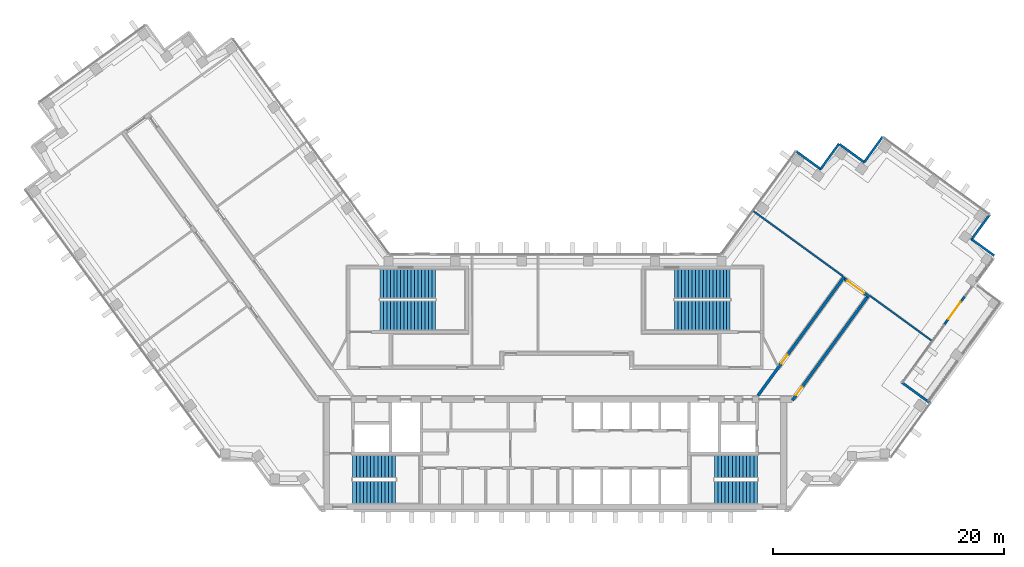
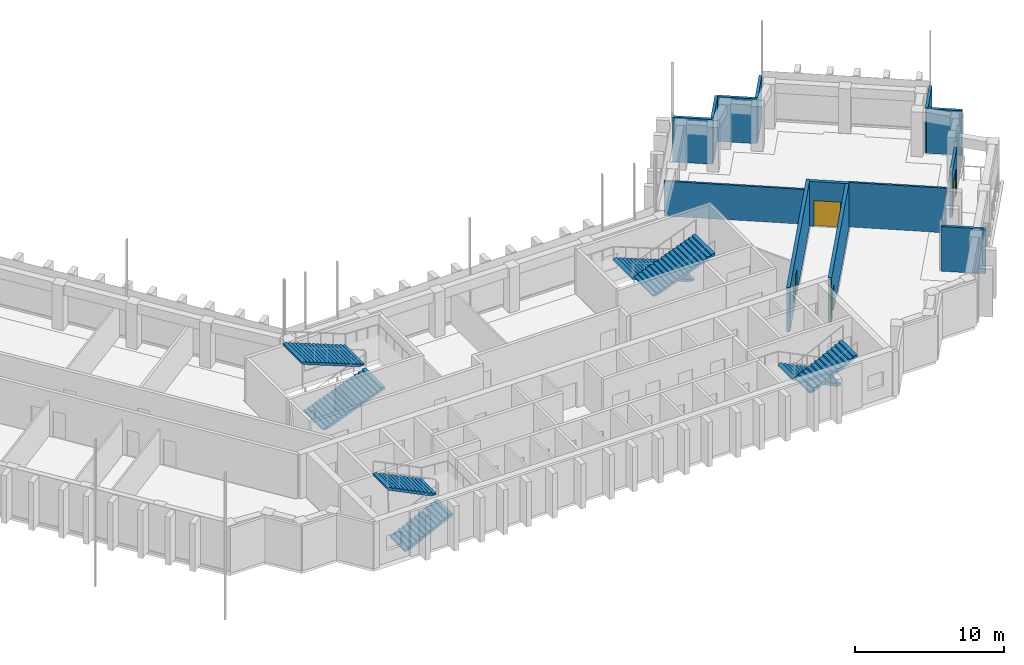
# One storey, part 12 of 14: 13 walls, 8 stair flights, 4 doors, 4 openings, 4 elements without a shape of their own.
"""IFC4 building model written with IfcOpenShell, lengths in metres."""

import ifcopenshell
import ifcopenshell.guid

model = None  # the IFC model being written
_history = None  # IfcOwnerHistory: only IFC2X3 demands one
_inside = {}  # id of a spatial element -> (the spatial element, [elements in it])
_under = {}  # id of a project, library or spatial element -> (it, [spatial elements below it])
_declared = {}  # id of a project -> (the project, [libraries it declares])
_typed = {}  # id of a type object -> (the type object, [elements of that type])
_made_of = {}  # id of a material, layer set ... -> (it, [elements and type objects made of it])


def new_model(schema):
    """Start an empty IFC model of exactly this schema.

    Asked for "IFC4X3", IfcOpenShell would pick the latest addendum, in which some entities
    have other attributes; the version numbers below select the first issue.
    IFC2X3 requires an IfcOwnerHistory on every rooted entity: one is made here for all.
    """
    global model, _history
    if schema == "IFC4X3":
        model = ifcopenshell.file(schema_version=(4, 3, 0, 0))
    else:
        model = ifcopenshell.file(schema=schema)
    _inside.clear()
    _under.clear()
    _declared.clear()
    _typed.clear()
    _made_of.clear()
    _history = None
    if model.schema == "IFC2X3":
        org = make("IfcOrganization", Name="unknown")
        user = make(
            "IfcPersonAndOrganization",
            ThePerson=make("IfcPerson", FamilyName="unknown"),
            TheOrganization=org,
        )
        app = make(
            "IfcApplication",
            ApplicationDeveloper=org,
            Version="unknown",
            ApplicationFullName="unknown",
            ApplicationIdentifier="unknown",
        )
        _history = make(
            "IfcOwnerHistory",
            OwningUser=user,
            OwningApplication=app,
            ChangeAction="ADDED",
            CreationDate=0,
        )
    return model


def make(cls, **values):
    """One entity of the class cls with the attributes given. An attribute that is None is left unset."""
    return model.create_entity(
        cls, **{name: value for name, value in values.items() if value is not None}
    )


def rooted(cls, **values):
    """An entity with a GlobalId (a new one), such as an element, a storey or a relation."""
    return make(cls, GlobalId=ifcopenshell.guid.new(), OwnerHistory=_history, **values)


def si_unit(unit_type, name, prefix=None):
    """IfcSIUnit, for example si_unit("LENGTHUNIT", "METRE", prefix="MILLI")."""
    return make("IfcSIUnit", UnitType=unit_type, Prefix=prefix, Name=name)


def assignment(units):
    """IfcUnitAssignment: the units of a project."""
    return None if units is None else make("IfcUnitAssignment", Units=units)


def point(xyz):
    """IfcCartesianPoint."""
    return None if xyz is None else make("IfcCartesianPoint", Coordinates=xyz)


def direction(xyz):
    """IfcDirection."""
    return None if xyz is None else make("IfcDirection", DirectionRatios=xyz)


def frame(location, z_axis=None, x_axis=None):
    """IfcAxis2Placement3D, a coordinate frame: its origin and axes. An axis left out is left unset."""
    return make(
        "IfcAxis2Placement3D",
        Location=point(location),
        Axis=direction(z_axis),
        RefDirection=direction(x_axis),
    )


def frame_2d(location, x_axis=None):
    """IfcAxis2Placement2D, a coordinate frame in the plane: its origin and x axis."""
    return make(
        "IfcAxis2Placement2D", Location=point(location), RefDirection=direction(x_axis)
    )


def origin():
    """The frame at (0, 0, 0) with its axes left unset."""
    return frame((0.0, 0.0, 0.0))


def place(relative_to, where):
    """IfcLocalPlacement: puts the frame where relative to a parent placement (None: the world)."""
    return make(
        "IfcLocalPlacement", PlacementRelTo=relative_to, RelativePlacement=where
    )


def context(
    kind, dimensions, precision=None, world=None, true_north=None, identifier=None
):
    """IfcGeometricRepresentationContext, for example the 3D "Model" context."""
    return make(
        "IfcGeometricRepresentationContext",
        ContextIdentifier=identifier,
        ContextType=kind,
        CoordinateSpaceDimension=dimensions,
        Precision=precision,
        WorldCoordinateSystem=world,
        TrueNorth=true_north,
    )


def subcontext(parent, identifier, kind, view, scale=None):
    """IfcGeometricRepresentationSubContext, for example "Body" below "Model"."""
    return make(
        "IfcGeometricRepresentationSubContext",
        ContextIdentifier=identifier,
        ContextType=kind,
        ParentContext=parent,
        TargetScale=scale,
        TargetView=view,
    )


def project(units=None, contexts=None):
    """IfcProject with its units and contexts."""
    return rooted(
        "IfcProject",
        Name="project",
        RepresentationContexts=contexts,
        UnitsInContext=assignment(units),
    )


def spatial(cls, under=None, at=None, **own):
    """A site, building, storey or space (cls), placed at a placement, below another one or the project."""
    s = rooted(cls, ObjectPlacement=at, **own)
    if under is not None:
        _under.setdefault(under.id(), (under, []))[1].append(s)
    return s


def polyline(points):
    """IfcPolyline through the points."""
    return make("IfcPolyline", Points=[point(p) for p in points])


def profile(cls, at=None, kind="AREA", **sizes):
    """A parametric profile (cls). Its sizes go by their IFC names, for example OverallWidth=200.0."""
    return make(cls, ProfileType=kind, Position=at, **sizes)


def rectangle(**sizes):
    """IfcRectangleProfileDef."""
    return profile("IfcRectangleProfileDef", **sizes)


def outline(outer, holes=None, kind="AREA"):
    """IfcArbitraryClosedProfileDef: a profile drawn as a closed curve; with holes, ...WithVoids."""
    if holes is None:
        return make("IfcArbitraryClosedProfileDef", ProfileType=kind, OuterCurve=outer)
    return make(
        "IfcArbitraryProfileDefWithVoids",
        ProfileType=kind,
        OuterCurve=outer,
        InnerCurves=holes,
    )


def extrude(swept, where, along, depth):
    """IfcExtrudedAreaSolid: the profile swept, set in the frame where, extruded along a direction by depth."""
    return make(
        "IfcExtrudedAreaSolid",
        SweptArea=swept,
        Position=where,
        ExtrudedDirection=direction(along),
        Depth=depth,
    )


def shape(context_of_items, identifier, shape_type, items):
    """IfcShapeRepresentation: the items that make up one representation, for example the "Body"."""
    return make(
        "IfcShapeRepresentation",
        ContextOfItems=context_of_items,
        RepresentationIdentifier=identifier,
        RepresentationType=shape_type,
        Items=items,
    )


def material(Name=None, Category=None):
    """IfcMaterial."""
    return make("IfcMaterial", Name=Name, Category=Category)


def layer(
    of_material, thickness, ventilated=None, Name=None, Category=None, Priority=None
):
    """IfcMaterialLayer: one layer of a wall or slab, of a material (None: an air gap)."""
    return make(
        "IfcMaterialLayer",
        Material=of_material,
        LayerThickness=thickness,
        IsVentilated=ventilated,
        Name=Name,
        Category=Category,
        Priority=Priority,
    )


def layer_set(layers, Name=None):
    """IfcMaterialLayerSet."""
    return make("IfcMaterialLayerSet", MaterialLayers=layers, LayerSetName=Name)


def made_of(thing, what):
    """Note that an element or type object is made of a material, layer set ...; save() writes the relation."""
    if what is not None:
        _made_of.setdefault(what.id(), (what, []))[1].append(thing)
    return thing


def type_object(cls, material=None, **own):
    """A type object (cls), such as IfcWallType, which elements share."""
    return made_of(rooted(cls, **own), material)


def element(
    cls,
    number,
    at=None,
    inside=None,
    cuts=None,
    type_object=None,
    material=None,
    context=None,
    identifier="Body",
    shape_type=None,
    held_by="IfcProductDefinitionShape",
    body=None,
    shapes=None,
    **own,
):
    """One element of the class cls, such as IfcWall. Its Tag is "e" and its number.

    at: its placement. inside: the storey or other place that contains it. cuts: it is an
    opening in that element (IfcRelVoidsElement). A single representation is given by context,
    identifier, shape_type and body (its items); several are given by shapes. held_by: the class
    of the entity that holds the representations. save() writes the other relations.
    """
    e = rooted(cls, Tag="e%d" % number, ObjectPlacement=at, **own)
    if body is not None:
        shapes = [shape(context, identifier, shape_type, body)]
    if shapes is not None:
        e.Representation = make(held_by, Representations=shapes)
    if inside is not None:
        _inside.setdefault(inside.id(), (inside, []))[1].append(e)
    if cuts is not None:
        rooted(
            "IfcRelVoidsElement", RelatingBuildingElement=cuts, RelatedOpeningElement=e
        )
    if type_object is not None:
        _typed.setdefault(type_object.id(), (type_object, []))[1].append(e)
    return made_of(e, material)


def fill(opening, filler):
    """IfcRelFillsElement: the door or window that sits in an opening."""
    return rooted(
        "IfcRelFillsElement",
        RelatingOpeningElement=opening,
        RelatedBuildingElement=filler,
    )


def aggregate(whole, parts):
    """IfcRelAggregates: a whole, such as a stair, and the parts it consists of."""
    return rooted("IfcRelAggregates", RelatingObject=whole, RelatedObjects=parts)


def save(model, path):
    """Write the relations noted so far, then the file.

    IfcRelAggregates (storeys below a building ...), IfcRelContainedInSpatialStructure (elements
    in a storey), IfcRelDefinesByType, IfcRelAssociatesMaterial and IfcRelDeclares: one each for
    every whole, place, type object, material and project.
    """
    for whole, parts in _under.values():
        aggregate(whole, parts)
    for where, things in _inside.values():
        rooted(
            "IfcRelContainedInSpatialStructure",
            RelatedElements=things,
            RelatingStructure=where,
        )
    for kind, things in _typed.values():
        rooted("IfcRelDefinesByType", RelatedObjects=things, RelatingType=kind)
    for what, things in _made_of.values():
        rooted("IfcRelAssociatesMaterial", RelatedObjects=things, RelatingMaterial=what)
    for by, libraries in _declared.values():
        rooted("IfcRelDeclares", RelatingContext=by, RelatedDefinitions=libraries)
    model.write(path)


model = new_model("IFC4")

# Units and contexts
model_context = context("Model", 3, precision=1e-05, world=origin(), true_north=direction((0.0, 1.0)))
body_context = subcontext(model_context, "Body", "Model", "MODEL_VIEW")
ifc_project = project(units=[si_unit("LENGTHUNIT", "METRE"), si_unit("AREAUNIT", "SQUARE_METRE"), si_unit("VOLUMEUNIT", "CUBIC_METRE"), si_unit("PLANEANGLEUNIT", "RADIAN"), si_unit("MASSUNIT", "GRAM", prefix="KILO")], contexts=[model_context])

# Site, building, storey
site_placement = place(None, origin())
site = spatial("IfcSite", under=ifc_project, at=site_placement, CompositionType="ELEMENT")
building_placement = place(site_placement, origin())
building = spatial("IfcBuilding", under=site, at=building_placement, Name="Quipu Civic Tower", CompositionType="ELEMENT")
storey_placement = place(building_placement, frame((0.0, 0.0, 198.0)))
storey = spatial("IfcBuildingStorey", under=building, at=storey_placement, Name="L46", CompositionType="ELEMENT", Elevation=198.0)

# Walls
ifc_material_1 = material(Name="Double gypsum plasterboard with mineral wool")
ifc_layer_1 = layer(ifc_material_1, 0.14990234375)
ifc_layer_set_1 = layer_set([ifc_layer_1], Name="Double gypsum plasterboard with mineral wool")
wall_type_1 = type_object("IfcWallType", Name="Acoustic partition 150 plasterboard", PredefinedType="PARTITIONING", material=ifc_layer_set_1)
wall_1_placement = place(storey_placement, frame((24.898193359375, 9.209716796875, 0.0), z_axis=(0.0, 0.0, 1.0), x_axis=(-0.809046636998, 0.587744450559, 0.0)))
element("IfcWall", 1, at=wall_1_placement, inside=storey, type_object=wall_type_1, Name="Partition P01", PredefinedType="PARTITIONING", context=body_context, shape_type="SweptSolid", body=[
    extrude(rectangle(XDim=9.54931640625, YDim=0.14990234375, at=frame_2d((4.774658203125, 0.0))), origin(), (0.0, 0.0, 1.0), 2.85009765625),
])
wall_2_placement = place(storey_placement, frame((32.544189453125, 3.6552734375, 0.0), z_axis=(0.0, 0.0, 1.0), x_axis=(-0.809045452372, 0.587746081226, 0.0)))
element("IfcWall", 2, at=wall_2_placement, inside=storey, type_object=wall_type_1, Name="Partition P10", PredefinedType="PARTITIONING", context=body_context, shape_type="SweptSolid", body=[
    extrude(rectangle(XDim=6.5498046875, YDim=0.14990234375, at=frame_2d((3.27490234375, 0.0))), origin(), (0.0, 0.0, 1.0), 3.64990234375),
])

# Wall, opening, door
ifc_material_2 = material(Name="Concrete C50/60", Category="concrete")
ifc_layer_2 = layer(ifc_material_2, 0.25)
ifc_layer_set_2 = layer_set([ifc_layer_2], Name="Concrete C50/60")
wall_type_2 = type_object("IfcWallType", Name="Corridor wall 250 concrete", PredefinedType="SOLIDWALL", material=ifc_layer_set_2)
wall_3_placement = place(storey_placement, frame((17.544921875, -1.124755859375, 0.0), z_axis=(0.0, 0.0, 1.0), x_axis=(0.587796810203, 0.809008596935, 0.0)))
wall_3 = element("IfcWall", 3, at=wall_3_placement, inside=storey, type_object=wall_type_2, Name="Corridor wall C01", PredefinedType="SOLIDWALL", context=body_context, shape_type="SweptSolid", body=[
    extrude(rectangle(XDim=12.703125, YDim=0.25, at=frame_2d((6.3515625, 0.0))), origin(), (0.0, 0.0, 1.0), 3.64990234375),
])
opening_1_placement = place(wall_3_placement, frame((3.44140625, 0.0, 0.0)))
opening_1 = element("IfcOpeningElement", 4, at=opening_1_placement, cuts=wall_3, Name="Opening D001", PredefinedType="OPENING", context=body_context, shape_type="SweptSolid", body=[
    extrude(rectangle(XDim=0.89990234375, YDim=2.10009765625, at=frame_2d((0.449951171875, 1.050048828125))), frame((0.0, 0.135009765625, 0.0), z_axis=(0.0, -1.0, 0.0), x_axis=(1.0, 0.0, 0.0)), (0.0, 0.0, 1.0), 0.27001953125),
])
ifc_material_3 = material(Name="Fire rated timber door set with metal frame", Category="wood")
door_type_1 = type_object("IfcDoorType", Name="Single door 900 x 2100 FD60", OperationType="NOTDEFINED", PredefinedType="DOOR", material=ifc_material_3)
door_1_placement = place(opening_1_placement, origin())
door_1 = element("IfcDoor", 5, at=door_1_placement, inside=storey, type_object=door_type_1, Name="Door D001", OperationType="SINGLE_SWING_LEFT", OverallHeight=2.10009765625, OverallWidth=0.89990234375, PredefinedType="DOOR", context=body_context, shape_type="SweptSolid", body=[
    extrude(rectangle(XDim=0.89990234375, YDim=2.10009765625, at=frame_2d((0.449951171875, 1.050048828125))), frame((0.0, 0.02490234375, 0.0), z_axis=(0.0, -1.0, 0.0), x_axis=(1.0, 0.0, 0.0)), (0.0, 0.0, 1.0), 0.050048828125),
])
fill(opening_1, door_1)

wall_4_placement = place(storey_placement, frame((25.039306640625, 8.9775390625, 0.0), z_axis=(0.0, 0.0, 1.0), x_axis=(0.809006914995, -0.587799125119, 0.0)))
wall_4 = element("IfcWall", 6, at=wall_4_placement, inside=storey, type_object=wall_type_2, Name="Corridor wall C02", PredefinedType="SOLIDWALL", context=body_context, shape_type="SweptSolid", body=[
    extrude(rectangle(XDim=2.64990234375, YDim=0.25, at=frame_2d((1.324951171875, 0.0))), origin(), (0.0, 0.0, 1.0), 3.64990234375),
])
opening_2_placement = place(wall_4_placement, frame((0.300537109375, 0.0, 0.0)))
opening_2 = element("IfcOpeningElement", 7, at=opening_2_placement, cuts=wall_4, Name="Opening D003", PredefinedType="OPENING", context=body_context, shape_type="SweptSolid", body=[
    extrude(rectangle(XDim=1.800048828125, YDim=2.10009765625, at=frame_2d((0.89990234375, 1.050048828125))), frame((0.0, 0.135009765625, 0.0), z_axis=(0.0, -1.0, 0.0), x_axis=(1.0, 0.0, 0.0)), (0.0, 0.0, 1.0), 0.27001953125),
])
ifc_material_4 = material(Name="Fire rated timber door set with metal frame", Category="wood")
door_type_2 = type_object("IfcDoorType", Name="Double door 1800 x 2100 FD60", OperationType="DOUBLE_DOOR_SINGLE_SWING", PredefinedType="DOOR", material=ifc_material_4)
door_2_placement = place(opening_2_placement, origin())
door_2 = element("IfcDoor", 8, at=door_2_placement, inside=storey, type_object=door_type_2, Name="Door D003", OperationType="DOUBLE_DOOR_SINGLE_SWING", OverallHeight=2.10009765625, OverallWidth=1.800048828125, PredefinedType="DOOR", context=body_context, shape_type="SweptSolid", body=[
    extrude(rectangle(XDim=1.800048828125, YDim=2.10009765625, at=frame_2d((0.89990234375, 1.050048828125))), frame((0.0, 0.02490234375, 0.0), z_axis=(0.0, -1.0, 0.0), x_axis=(1.0, 0.0, 0.0)), (0.0, 0.0, 1.0), 0.050048828125),
])
fill(opening_2, door_2)

wall_5_placement = place(storey_placement, frame((27.008544921875, 7.392333984375, 0.0), z_axis=(0.0, 0.0, 1.0), x_axis=(-0.587776457057, -0.809023384414, 0.0)))
wall_5 = element("IfcWall", 9, at=wall_5_placement, inside=storey, type_object=wall_type_2, Name="Corridor wall C03", PredefinedType="SOLIDWALL", context=body_context, shape_type="SweptSolid", body=[
    extrude(rectangle(XDim=11.0205078125, YDim=0.25, at=frame_2d((5.51025390625, 0.0))), origin(), (0.0, 0.0, 1.0), 3.64990234375),
])
opening_3_placement = place(wall_5_placement, frame((9.587646484375, 0.0, 0.0)))
opening_3 = element("IfcOpeningElement", 10, at=opening_3_placement, cuts=wall_5, Name="Opening D002", PredefinedType="OPENING", context=body_context, shape_type="SweptSolid", body=[
    extrude(rectangle(XDim=0.89990234375, YDim=2.10009765625, at=frame_2d((0.449951171875, 1.050048828125))), frame((0.0, 0.135009765625, 0.0), z_axis=(0.0, -1.0, 0.0), x_axis=(1.0, 0.0, 0.0)), (0.0, 0.0, 1.0), 0.27001953125),
])
door_3_placement = place(opening_3_placement, origin())
door_3 = element("IfcDoor", 11, at=door_3_placement, inside=storey, type_object=door_type_1, Name="Door D002", OperationType="SINGLE_SWING_RIGHT", OverallHeight=2.10009765625, OverallWidth=0.89990234375, PredefinedType="DOOR", context=body_context, shape_type="SweptSolid", body=[
    extrude(rectangle(XDim=0.89990234375, YDim=2.10009765625, at=frame_2d((0.449951171875, 1.050048828125))), frame((0.0, 0.02490234375, 0.0), z_axis=(0.0, -1.0, 0.0), x_axis=(1.0, 0.0, 0.0)), (0.0, 0.0, 1.0), 0.050048828125),
])
fill(opening_3, door_3)

# Walls
ifc_material_5 = material(Name="Precast concrete C40/50", Category="concrete")
wall_type_3 = type_object("IfcWallType", Name="Precast cladding wall", PredefinedType="SOLIDWALL", material=ifc_material_5)
wall_6_placement = place(storey_placement, frame((32.44091796875, -1.760986328125, 0.0), z_axis=(0.0, 0.0, 1.0), x_axis=(-0.808999938455, 0.587808727036, 0.0)))
element("IfcWall", 12, at=wall_6_placement, inside=storey, type_object=wall_type_3, Name="Precast cladding wall L46 2", PredefinedType="SOLIDWALL", context=body_context, shape_type="SweptSolid", body=[
    extrude(rectangle(XDim=3.0, YDim=0.199951171875, at=frame_2d((1.5, 0.0))), origin(), (0.0, 0.0, 1.0), 3.64990234375),
])
wall_7_placement = place(storey_placement, frame((37.988525390625, 10.978515625, 0.0), z_axis=(0.0, 0.0, 1.0), x_axis=(-0.808942790066, 0.587887372207, 0.0)))
element("IfcWall", 13, at=wall_7_placement, inside=storey, type_object=wall_type_3, Name="Precast cladding wall L46 7", PredefinedType="SOLIDWALL", context=body_context, shape_type="SweptSolid", body=[
    extrude(rectangle(XDim=2.39990234375, YDim=0.199951171875, at=frame_2d((1.199951171875, 0.0))), origin(), (0.0, 0.0, 1.0), 3.64990234375),
])
for number, where, z_axis, x_axis, name in (
    (14, (36.0048828125, 12.3515625, 0.0), (0.0, 0.0, 1.0), (0.587762999008, 0.809033161865, 0.0), "Precast cladding wall L46 P01"),
    (15, (28.333984375, 21.26220703125, 0.0), (0.0, 0.0, 1.0), (-0.587762999008, -0.809033161865, 0.0), "Precast cladding wall L46 P03"),
):
    element("IfcWall", number, at=place(storey_placement, frame(where, z_axis=z_axis, x_axis=x_axis)), inside=storey, type_object=wall_type_3, Name=name, PredefinedType="SOLIDWALL", context=body_context, shape_type="SweptSolid", body=[
        extrude(rectangle(XDim=2.699951171875, YDim=0.199951171875, at=frame_2d((1.35009765625, 0.0))), origin(), (0.0, 0.0, 1.0), 3.64990234375),
    ])
wall_8_placement = place(storey_placement, frame((26.78466796875, 19.03564453125, 0.0), z_axis=(0.0, 0.0, 1.0), x_axis=(-0.809064397168, 0.587720002413, 0.0)))
element("IfcWall", 16, at=wall_8_placement, inside=storey, type_object=wall_type_3, Name="Precast cladding wall L46 P04", PredefinedType="SOLIDWALL", context=body_context, shape_type="SweptSolid", body=[
    extrude(rectangle(XDim=2.7001953125, YDim=0.199951171875, at=frame_2d((1.35009765625, 0.0))), origin(), (0.0, 0.0, 1.0), 3.64990234375),
])
for number, where, z_axis, x_axis, name in (
    (17, (24.562744140625, 20.664794921875, 0.0), (0.0, 0.0, 1.0), (-0.587822180636, -0.808990163075, 0.0), "Precast cladding wall L46 P05"),
    (18, (23.01318359375, 18.438232421875, 0.0), (0.0, 0.0, 1.0), (-0.808990163075, 0.587822180636, 0.0), "Precast cladding wall L46 P06"),
):
    element("IfcWall", number, at=place(storey_placement, frame(where, z_axis=z_axis, x_axis=x_axis)), inside=storey, type_object=wall_type_3, Name=name, PredefinedType="SOLIDWALL", context=body_context, shape_type="SweptSolid", body=[
        extrude(rectangle(XDim=2.699951171875, YDim=0.199951171875, at=frame_2d((1.35009765625, 0.0))), origin(), (0.0, 0.0, 1.0), 3.64990234375),
    ])

# Wall, opening, door
ifc_material_6 = material(Name="Precast concrete C40/50", Category="concrete")
wall_type_4 = type_object("IfcWallType", Name="Precast door surround", PredefinedType="SOLIDWALL", material=ifc_material_6)
wall_9_placement = place(storey_placement, frame((35.42822265625, 7.45458984375, 0.0), z_axis=(0.0, 0.0, 1.0), x_axis=(-0.587755461469, -0.809038637837, 0.0)))
wall_9 = element("IfcWall", 19, at=wall_9_placement, inside=storey, type_object=wall_type_4, Name="Door surround ED-L46-1", PredefinedType="SOLIDWALL", context=body_context, shape_type="SweptSolid", body=[
    extrude(rectangle(XDim=2.999755859375, YDim=0.199951171875, at=frame_2d((1.5, 0.0))), origin(), (0.0, 0.0, 1.0), 3.64990234375),
])
opening_4_placement = place(wall_9_placement, frame((0.60009765625, 0.0, 0.0)))
opening_4 = element("IfcOpeningElement", 20, at=opening_4_placement, cuts=wall_9, Name="Opening ED-L46-1", PredefinedType="OPENING", context=body_context, shape_type="SweptSolid", body=[
    extrude(rectangle(XDim=1.800048828125, YDim=2.39990234375, at=frame_2d((0.89990234375, 1.199951171875))), frame((0.0, 0.10986328125, 0.0), z_axis=(0.0, -1.0, 0.0), x_axis=(1.0, 0.0, 0.0)), (0.0, 0.0, 1.0), 0.219970703125),
])
ifc_material_7 = material(Name="Aluminium framed glazed door", Category="aluminium")
door_type_3 = type_object("IfcDoorType", Name="Terrace door E3", OperationType="DOUBLE_DOOR_SINGLE_SWING", PredefinedType="DOOR", material=ifc_material_7)
door_4_placement = place(opening_4_placement, origin())
door_4 = element("IfcDoor", 21, at=door_4_placement, inside=storey, type_object=door_type_3, Name="E3 door ED-L46-1", OperationType="DOUBLE_DOOR_SINGLE_SWING", OverallHeight=2.39990234375, OverallWidth=1.800048828125, PredefinedType="DOOR", context=body_context, shape_type="SweptSolid", body=[
    extrude(rectangle(XDim=1.800048828125, YDim=2.39990234375, at=frame_2d((0.89990234375, 1.199951171875))), frame((0.0, 0.02490234375, 0.0), z_axis=(0.0, -1.0, 0.0), x_axis=(1.0, 0.0, 0.0)), (0.0, 0.0, 1.0), 0.050048828125),
])
fill(opening_4, door_4)

# Stair, stair flights
ifc_material_8 = material(Name="Concrete C40/50", Category="concrete")
stair_type_1 = type_object("IfcStairType", Name="Half turn stair 2000", PredefinedType="HALF_TURN_STAIR", material=ifc_material_8)
stair_1_placement = place(storey_placement, origin())
stair_1 = element("IfcStair", 22, at=stair_1_placement, inside=storey, type_object=stair_type_1, Name="Exit stair 1", PredefinedType="HALF_TURN_STAIR")
ifc_material_9 = material(Name="Concrete C40/50", Category="concrete")
stair_flight_type_1 = type_object("IfcStairFlightType", Name="Stair flight 2000", PredefinedType="STRAIGHT", material=ifc_material_9)
stair_flight_1_placement = place(storey_placement, frame((-17.5, -9.5, 0.0), z_axis=(0.0, 0.0, 1.0), x_axis=(1.0, 0.0, 0.0)))
stair_flight_1 = element("IfcStairFlight", 23, at=stair_flight_1_placement, type_object=stair_flight_type_1, Name="ST-1 flight 1", NumberOfRisers=13, NumberOfTreads=12, PredefinedType="STRAIGHT", RiserHeight=0.153846154, TreadLength=0.31, context=body_context, shape_type="SweptSolid", body=[
    extrude(outline(polyline([(0.0, 0.0), (0.0, 0.15380859375), (0.31005859375, 0.15380859375), (0.31005859375, 0.3076171875), (0.6201171875, 0.3076171875), (0.6201171875, 0.46142578125), (0.929931640625, 0.46142578125), (0.929931640625, 0.615478515625), (1.239990234375, 0.615478515625), (1.239990234375, 0.769287109375), (1.550048828125, 0.769287109375), (1.550048828125, 0.923095703125), (1.860107421875, 0.923095703125), (1.860107421875, 1.076904296875), (2.169921875, 1.076904296875), (2.169921875, 1.230712890625), (2.47998046875, 1.230712890625), (2.47998046875, 1.384521484375), (2.7900390625, 1.384521484375), (2.7900390625, 1.53857421875), (3.10009765625, 1.53857421875), (3.10009765625, 1.6923828125), (3.409912109375, 1.6923828125), (3.409912109375, 1.84619140625), (3.719970703125, 1.84619140625), (3.719970703125, 2.0), (3.719970703125, 1.6787109375), (0.337158203125, 0.0), (0.0, 0.0)])), frame((0.0, 1.0, 0.0), z_axis=(0.0, -1.0, 0.0), x_axis=(1.0, 0.0, 0.0)), (0.0, 0.0, 1.0), 2.0),
])
stair_flight_2_placement = place(storey_placement, frame((-13.780029296875, -7.25, 2.0), z_axis=(0.0, 0.0, 1.0), x_axis=(-1.0, 0.0, 0.0)))
stair_flight_2 = element("IfcStairFlight", 24, at=stair_flight_2_placement, type_object=stair_flight_type_1, Name="ST-1 flight 2", NumberOfRisers=13, NumberOfTreads=12, PredefinedType="STRAIGHT", RiserHeight=0.153846154, TreadLength=0.31, context=body_context, shape_type="SweptSolid", body=[
    extrude(outline(polyline([(0.0, 0.0), (0.0, 0.15380859375), (0.31005859375, 0.15380859375), (0.31005859375, 0.3076171875), (0.6201171875, 0.3076171875), (0.6201171875, 0.46142578125), (0.929931640625, 0.46142578125), (0.929931640625, 0.615478515625), (1.239990234375, 0.615478515625), (1.239990234375, 0.769287109375), (1.550048828125, 0.769287109375), (1.550048828125, 0.923095703125), (1.860107421875, 0.923095703125), (1.860107421875, 1.076904296875), (2.169921875, 1.076904296875), (2.169921875, 1.230712890625), (2.47998046875, 1.230712890625), (2.47998046875, 1.384521484375), (2.7900390625, 1.384521484375), (2.7900390625, 1.53857421875), (3.10009765625, 1.53857421875), (3.10009765625, 1.6923828125), (3.409912109375, 1.6923828125), (3.409912109375, 1.84619140625), (3.719970703125, 1.84619140625), (3.719970703125, 2.0), (3.719970703125, 1.6787109375), (0.337158203125, 0.0), (0.0, 0.0)])), frame((0.0, 1.0, 0.0), z_axis=(0.0, -1.0, 0.0), x_axis=(1.0, 0.0, 0.0)), (0.0, 0.0, 1.0), 2.0),
])
aggregate(stair_1, [stair_flight_1, stair_flight_2])

stair_2_placement = place(storey_placement, origin())
stair_2 = element("IfcStair", 25, at=stair_2_placement, inside=storey, type_object=stair_type_1, Name="Exit stair 2", PredefinedType="HALF_TURN_STAIR")
stair_flight_3_placement = place(storey_placement, frame((17.5, -7.25, 0.0), z_axis=(0.0, 0.0, 1.0), x_axis=(-1.0, 0.0, 0.0)))
stair_flight_3 = element("IfcStairFlight", 26, at=stair_flight_3_placement, type_object=stair_flight_type_1, Name="ST-2 flight 1", NumberOfRisers=13, NumberOfTreads=12, PredefinedType="STRAIGHT", RiserHeight=0.153846154, TreadLength=0.31, context=body_context, shape_type="SweptSolid", body=[
    extrude(outline(polyline([(0.0, 0.0), (0.0, 0.15380859375), (0.31005859375, 0.15380859375), (0.31005859375, 0.3076171875), (0.6201171875, 0.3076171875), (0.6201171875, 0.46142578125), (0.929931640625, 0.46142578125), (0.929931640625, 0.615478515625), (1.239990234375, 0.615478515625), (1.239990234375, 0.769287109375), (1.550048828125, 0.769287109375), (1.550048828125, 0.923095703125), (1.860107421875, 0.923095703125), (1.860107421875, 1.076904296875), (2.169921875, 1.076904296875), (2.169921875, 1.230712890625), (2.47998046875, 1.230712890625), (2.47998046875, 1.384521484375), (2.7900390625, 1.384521484375), (2.7900390625, 1.53857421875), (3.10009765625, 1.53857421875), (3.10009765625, 1.6923828125), (3.409912109375, 1.6923828125), (3.409912109375, 1.84619140625), (3.719970703125, 1.84619140625), (3.719970703125, 2.0), (3.719970703125, 1.6787109375), (0.337158203125, 0.0), (0.0, 0.0)])), frame((0.0, 1.0, 0.0), z_axis=(0.0, -1.0, 0.0), x_axis=(1.0, 0.0, 0.0)), (0.0, 0.0, 1.0), 2.0),
])
stair_flight_4_placement = place(storey_placement, frame((13.780029296875, -9.5, 2.0), z_axis=(0.0, 0.0, 1.0), x_axis=(1.0, 0.0, 0.0)))
stair_flight_4 = element("IfcStairFlight", 27, at=stair_flight_4_placement, type_object=stair_flight_type_1, Name="ST-2 flight 2", NumberOfRisers=13, NumberOfTreads=12, PredefinedType="STRAIGHT", RiserHeight=0.153846154, TreadLength=0.31, context=body_context, shape_type="SweptSolid", body=[
    extrude(outline(polyline([(0.0, 0.0), (0.0, 0.15380859375), (0.31005859375, 0.15380859375), (0.31005859375, 0.3076171875), (0.6201171875, 0.3076171875), (0.6201171875, 0.46142578125), (0.929931640625, 0.46142578125), (0.929931640625, 0.615478515625), (1.239990234375, 0.615478515625), (1.239990234375, 0.769287109375), (1.550048828125, 0.769287109375), (1.550048828125, 0.923095703125), (1.860107421875, 0.923095703125), (1.860107421875, 1.076904296875), (2.169921875, 1.076904296875), (2.169921875, 1.230712890625), (2.47998046875, 1.230712890625), (2.47998046875, 1.384521484375), (2.7900390625, 1.384521484375), (2.7900390625, 1.53857421875), (3.10009765625, 1.53857421875), (3.10009765625, 1.6923828125), (3.409912109375, 1.6923828125), (3.409912109375, 1.84619140625), (3.719970703125, 1.84619140625), (3.719970703125, 2.0), (3.719970703125, 1.6787109375), (0.337158203125, 0.0), (0.0, 0.0)])), frame((0.0, 1.0, 0.0), z_axis=(0.0, -1.0, 0.0), x_axis=(1.0, 0.0, 0.0)), (0.0, 0.0, 1.0), 2.0),
])
aggregate(stair_2, [stair_flight_3, stair_flight_4])

ifc_material_10 = material(Name="Concrete C40/50", Category="concrete")
stair_type_2 = type_object("IfcStairType", Name="Half turn stair 2600", PredefinedType="HALF_TURN_STAIR", material=ifc_material_10)
stair_3_placement = place(storey_placement, origin())
stair_3 = element("IfcStair", 28, at=stair_3_placement, inside=storey, type_object=stair_type_2, Name="Exit stair 3", PredefinedType="HALF_TURN_STAIR")
ifc_material_11 = material(Name="Concrete C40/50", Category="concrete")
stair_flight_type_2 = type_object("IfcStairFlightType", Name="Stair flight 2600", PredefinedType="STRAIGHT", material=ifc_material_11)
stair_flight_5_placement = place(storey_placement, frame((-15.14990234375, 5.800048828125, 0.0), z_axis=(0.0, 0.0, 1.0), x_axis=(1.0, 0.0, 0.0)))
stair_flight_5 = element("IfcStairFlight", 29, at=stair_flight_5_placement, type_object=stair_flight_type_2, Name="ST-3 flight 1", NumberOfRisers=17, NumberOfTreads=16, PredefinedType="STRAIGHT", RiserHeight=0.117647059, TreadLength=0.3, context=body_context, shape_type="SweptSolid", body=[
    extrude(outline(polyline([(0.0, 0.0), (0.0, 0.11767578125), (0.300048828125, 0.11767578125), (0.300048828125, 0.2353515625), (0.60009765625, 0.2353515625), (0.60009765625, 0.35302734375), (0.89990234375, 0.35302734375), (0.89990234375, 0.470703125), (1.199951171875, 0.470703125), (1.199951171875, 0.588134765625), (1.5, 0.588134765625), (1.5, 0.705810546875), (1.800048828125, 0.705810546875), (1.800048828125, 0.823486328125), (2.10009765625, 0.823486328125), (2.10009765625, 0.941162109375), (2.39990234375, 0.941162109375), (2.39990234375, 1.058837890625), (2.699951171875, 1.058837890625), (2.699951171875, 1.176513671875), (3.0, 1.176513671875), (3.0, 1.294189453125), (3.300048828125, 1.294189453125), (3.300048828125, 1.411865234375), (3.60009765625, 1.411865234375), (3.60009765625, 1.529296875), (3.89990234375, 1.529296875), (3.89990234375, 1.64697265625), (4.199951171875, 1.64697265625), (4.199951171875, 1.7646484375), (4.5, 1.7646484375), (4.5, 1.88232421875), (4.800048828125, 1.88232421875), (4.800048828125, 2.0), (4.800048828125, 1.721435546875), (0.41064453125, 0.0), (0.0, 0.0)])), frame((0.0, 1.300048828125, 0.0), z_axis=(0.0, -1.0, 0.0), x_axis=(1.0, 0.0, 0.0)), (0.0, 0.0, 1.0), 2.60009765625),
])
stair_flight_6_placement = place(storey_placement, frame((-10.35009765625, 8.550048828125, 2.0), z_axis=(0.0, 0.0, 1.0), x_axis=(-1.0, 0.0, 0.0)))
stair_flight_6 = element("IfcStairFlight", 30, at=stair_flight_6_placement, type_object=stair_flight_type_2, Name="ST-3 flight 2", NumberOfRisers=17, NumberOfTreads=16, PredefinedType="STRAIGHT", RiserHeight=0.117647059, TreadLength=0.3, context=body_context, shape_type="SweptSolid", body=[
    extrude(outline(polyline([(0.0, 0.0), (0.0, 0.11767578125), (0.300048828125, 0.11767578125), (0.300048828125, 0.2353515625), (0.60009765625, 0.2353515625), (0.60009765625, 0.35302734375), (0.89990234375, 0.35302734375), (0.89990234375, 0.470703125), (1.199951171875, 0.470703125), (1.199951171875, 0.588134765625), (1.5, 0.588134765625), (1.5, 0.705810546875), (1.800048828125, 0.705810546875), (1.800048828125, 0.823486328125), (2.10009765625, 0.823486328125), (2.10009765625, 0.941162109375), (2.39990234375, 0.941162109375), (2.39990234375, 1.058837890625), (2.699951171875, 1.058837890625), (2.699951171875, 1.176513671875), (3.0, 1.176513671875), (3.0, 1.294189453125), (3.300048828125, 1.294189453125), (3.300048828125, 1.411865234375), (3.60009765625, 1.411865234375), (3.60009765625, 1.529296875), (3.89990234375, 1.529296875), (3.89990234375, 1.64697265625), (4.199951171875, 1.64697265625), (4.199951171875, 1.7646484375), (4.5, 1.7646484375), (4.5, 1.88232421875), (4.800048828125, 1.88232421875), (4.800048828125, 2.0), (4.800048828125, 1.721435546875), (0.41064453125, 0.0), (0.0, 0.0)])), frame((0.0, 1.300048828125, 0.0), z_axis=(0.0, -1.0, 0.0), x_axis=(1.0, 0.0, 0.0)), (0.0, 0.0, 1.0), 2.60009765625),
])
aggregate(stair_3, [stair_flight_5, stair_flight_6])

stair_4_placement = place(storey_placement, origin())
stair_4 = element("IfcStair", 31, at=stair_4_placement, inside=storey, type_object=stair_type_2, Name="Exit stair 4", PredefinedType="HALF_TURN_STAIR")
stair_flight_7_placement = place(storey_placement, frame((15.14990234375, 8.550048828125, 0.0), z_axis=(0.0, 0.0, 1.0), x_axis=(-1.0, 0.0, 0.0)))
stair_flight_7 = element("IfcStairFlight", 32, at=stair_flight_7_placement, type_object=stair_flight_type_2, Name="ST-4 flight 1", NumberOfRisers=17, NumberOfTreads=16, PredefinedType="STRAIGHT", RiserHeight=0.117647059, TreadLength=0.3, context=body_context, shape_type="SweptSolid", body=[
    extrude(outline(polyline([(0.0, 0.0), (0.0, 0.11767578125), (0.300048828125, 0.11767578125), (0.300048828125, 0.2353515625), (0.60009765625, 0.2353515625), (0.60009765625, 0.35302734375), (0.89990234375, 0.35302734375), (0.89990234375, 0.470703125), (1.199951171875, 0.470703125), (1.199951171875, 0.588134765625), (1.5, 0.588134765625), (1.5, 0.705810546875), (1.800048828125, 0.705810546875), (1.800048828125, 0.823486328125), (2.10009765625, 0.823486328125), (2.10009765625, 0.941162109375), (2.39990234375, 0.941162109375), (2.39990234375, 1.058837890625), (2.699951171875, 1.058837890625), (2.699951171875, 1.176513671875), (3.0, 1.176513671875), (3.0, 1.294189453125), (3.300048828125, 1.294189453125), (3.300048828125, 1.411865234375), (3.60009765625, 1.411865234375), (3.60009765625, 1.529296875), (3.89990234375, 1.529296875), (3.89990234375, 1.64697265625), (4.199951171875, 1.64697265625), (4.199951171875, 1.7646484375), (4.5, 1.7646484375), (4.5, 1.88232421875), (4.800048828125, 1.88232421875), (4.800048828125, 2.0), (4.800048828125, 1.721435546875), (0.41064453125, 0.0), (0.0, 0.0)])), frame((0.0, 1.300048828125, 0.0), z_axis=(0.0, -1.0, 0.0), x_axis=(1.0, 0.0, 0.0)), (0.0, 0.0, 1.0), 2.60009765625),
])
stair_flight_8_placement = place(storey_placement, frame((10.35009765625, 5.800048828125, 2.0), z_axis=(0.0, 0.0, 1.0), x_axis=(1.0, 0.0, 0.0)))
stair_flight_8 = element("IfcStairFlight", 33, at=stair_flight_8_placement, type_object=stair_flight_type_2, Name="ST-4 flight 2", NumberOfRisers=17, NumberOfTreads=16, PredefinedType="STRAIGHT", RiserHeight=0.117647059, TreadLength=0.3, context=body_context, shape_type="SweptSolid", body=[
    extrude(outline(polyline([(0.0, 0.0), (0.0, 0.11767578125), (0.300048828125, 0.11767578125), (0.300048828125, 0.2353515625), (0.60009765625, 0.2353515625), (0.60009765625, 0.35302734375), (0.89990234375, 0.35302734375), (0.89990234375, 0.470703125), (1.199951171875, 0.470703125), (1.199951171875, 0.588134765625), (1.5, 0.588134765625), (1.5, 0.705810546875), (1.800048828125, 0.705810546875), (1.800048828125, 0.823486328125), (2.10009765625, 0.823486328125), (2.10009765625, 0.941162109375), (2.39990234375, 0.941162109375), (2.39990234375, 1.058837890625), (2.699951171875, 1.058837890625), (2.699951171875, 1.176513671875), (3.0, 1.176513671875), (3.0, 1.294189453125), (3.300048828125, 1.294189453125), (3.300048828125, 1.411865234375), (3.60009765625, 1.411865234375), (3.60009765625, 1.529296875), (3.89990234375, 1.529296875), (3.89990234375, 1.64697265625), (4.199951171875, 1.64697265625), (4.199951171875, 1.7646484375), (4.5, 1.7646484375), (4.5, 1.88232421875), (4.800048828125, 1.88232421875), (4.800048828125, 2.0), (4.800048828125, 1.721435546875), (0.41064453125, 0.0), (0.0, 0.0)])), frame((0.0, 1.300048828125, 0.0), z_axis=(0.0, -1.0, 0.0), x_axis=(1.0, 0.0, 0.0)), (0.0, 0.0, 1.0), 2.60009765625),
])
aggregate(stair_4, [stair_flight_7, stair_flight_8])

save(model, "model.ifc")
